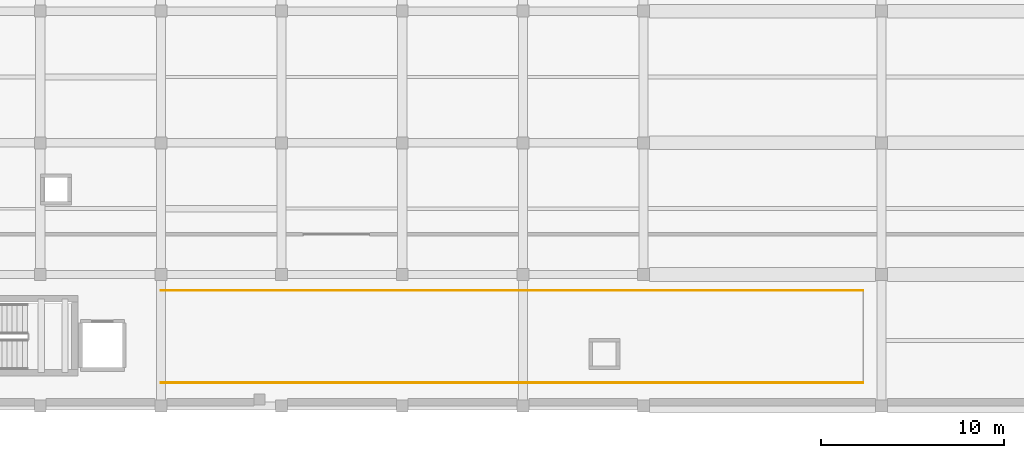
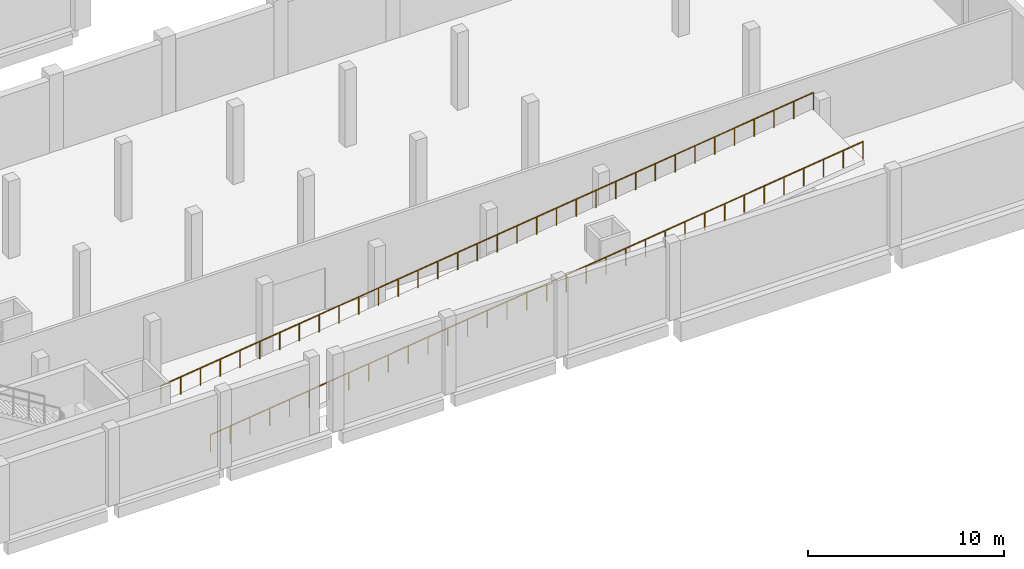
# One storey, part 30 of 31: 2 railings.
"""IFC4 building model written with IfcOpenShell, lengths in metres."""

from ifc_helpers import new_model, si_unit, direction, frame, origin, origin_2d, place, context, subcontext, project, spatial, circle, extrude, material, type_object, element, save


model = new_model("IFC4")

# Units and contexts
model_context = context("Model", 3, precision=1e-05, world=origin(), true_north=direction((0.0, 1.0)))
body_context = subcontext(model_context, "Body", "Model", "MODEL_VIEW")
ifc_project = project(units=[si_unit("LENGTHUNIT", "METRE"), si_unit("AREAUNIT", "SQUARE_METRE"), si_unit("VOLUMEUNIT", "CUBIC_METRE"), si_unit("PLANEANGLEUNIT", "RADIAN"), si_unit("MASSUNIT", "GRAM", prefix="KILO")], contexts=[model_context])

# Site, building, storey
site_placement = place(None, origin())
site = spatial("IfcSite", under=ifc_project, at=site_placement, CompositionType="ELEMENT")
building_placement = place(site_placement, origin())
building = spatial("IfcBuilding", under=site, at=building_placement, Name="Kelarvand Opera House", CompositionType="ELEMENT")
storey_placement = place(building_placement, frame((0.0, 0.0, -4.800048828125)))
storey = spatial("IfcBuildingStorey", under=building, at=storey_placement, Name="B1", CompositionType="ELEMENT", Elevation=-4.800048828125)

# Railings
ifc_material = material(Name="Powder-coated Steel S355", Category="steel")
railing_type = type_object("IfcRailingType", Name="Painted Steel Stair and Void Guardrail 1100", PredefinedType="GUARDRAIL", material=ifc_material)
railing_1_placement = place(storey_placement, frame((128.60009765625, 10.280029296875, 0.0)))
element("IfcRailing", 1, at=railing_1_placement, inside=storey, type_object=railing_type, Name="V6 B1 Guardrail 19", PredefinedType="GUARDRAIL", context=body_context, shape_type="SweptSolid", body=[
    extrude(circle(Radius=0.02392578125, at=origin_2d()), frame((0.0, 0.0, 1.076171875), z_axis=(0.992277682597, 0.0, 0.124036287512), x_axis=(0.0, 1.0, 0.0)), (0.0, 0.0, 1.0), 38.69873046875),
    extrude(circle(Radius=0.02099609375, at=origin_2d()), origin(), (0.0, 0.0, 1.0), 1.052001953125),
    extrude(circle(Radius=0.02099609375, at=origin_2d()), frame((1.16357421875, 0.0, 0.1455078125)), (0.0, 0.0, 1.0), 1.052001953125),
    extrude(circle(Radius=0.02099609375, at=origin_2d()), frame((2.3271484375, 0.0, 0.291015625)), (0.0, 0.0, 1.0), 1.052001953125),
    extrude(circle(Radius=0.02099609375, at=origin_2d()), frame((3.490966796875, 0.0, 0.436279296875)), (0.0, 0.0, 1.0), 1.052001953125),
    extrude(circle(Radius=0.02099609375, at=origin_2d()), frame((4.654541015625, 0.0, 0.581787109375)), (0.0, 0.0, 1.0), 1.052001953125),
    extrude(circle(Radius=0.02099609375, at=origin_2d()), frame((5.818115234375, 0.0, 0.727294921875)), (0.0, 0.0, 1.0), 1.052001953125),
    extrude(circle(Radius=0.02099609375, at=origin_2d()), frame((6.981689453125, 0.0, 0.872802734375)), (0.0, 0.0, 1.0), 1.052001953125),
    extrude(circle(Radius=0.02099609375, at=origin_2d()), frame((8.1455078125, 0.0, 1.018310546875)), (0.0, 0.0, 1.0), 1.052001953125),
    extrude(circle(Radius=0.02099609375, at=origin_2d()), frame((9.30908203125, 0.0, 1.16357421875)), (0.0, 0.0, 1.0), 1.052001953125),
    extrude(circle(Radius=0.02099609375, at=origin_2d()), frame((10.47265625, 0.0, 1.30908203125)), (0.0, 0.0, 1.0), 1.052001953125),
    extrude(circle(Radius=0.02099609375, at=origin_2d()), frame((11.63623046875, 0.0, 1.45458984375)), (0.0, 0.0, 1.0), 1.052001953125),
    extrude(circle(Radius=0.02099609375, at=origin_2d()), frame((12.800048828125, 0.0, 1.60009765625)), (0.0, 0.0, 1.0), 1.052001953125),
    extrude(circle(Radius=0.02099609375, at=origin_2d()), frame((13.963623046875, 0.0, 1.745361328125)), (0.0, 0.0, 1.0), 1.052001953125),
    extrude(circle(Radius=0.02099609375, at=origin_2d()), frame((15.127197265625, 0.0, 1.890869140625)), (0.0, 0.0, 1.0), 1.052001953125),
    extrude(circle(Radius=0.02099609375, at=origin_2d()), frame((16.290771484375, 0.0, 2.036376953125)), (0.0, 0.0, 1.0), 1.052001953125),
    extrude(circle(Radius=0.02099609375, at=origin_2d()), frame((17.45458984375, 0.0, 2.181884765625)), (0.0, 0.0, 1.0), 1.052001953125),
    extrude(circle(Radius=0.02099609375, at=origin_2d()), frame((18.6181640625, 0.0, 2.327392578125)), (0.0, 0.0, 1.0), 1.052001953125),
    extrude(circle(Radius=0.02099609375, at=origin_2d()), frame((19.78173828125, 0.0, 2.47265625)), (0.0, 0.0, 1.0), 1.052001953125),
    extrude(circle(Radius=0.02099609375, at=origin_2d()), frame((20.9453125, 0.0, 2.6181640625)), (0.0, 0.0, 1.0), 1.052001953125),
    extrude(circle(Radius=0.02099609375, at=origin_2d()), frame((22.109130859375, 0.0, 2.763671875)), (0.0, 0.0, 1.0), 1.052001953125),
    extrude(circle(Radius=0.02099609375, at=origin_2d()), frame((23.272705078125, 0.0, 2.9091796875)), (0.0, 0.0, 1.0), 1.052001953125),
    extrude(circle(Radius=0.02099609375, at=origin_2d()), frame((24.436279296875, 0.0, 3.0546875)), (0.0, 0.0, 1.0), 1.052001953125),
    extrude(circle(Radius=0.02099609375, at=origin_2d()), frame((25.599853515625, 0.0, 3.199951171875)), (0.0, 0.0, 1.0), 1.052001953125),
    extrude(circle(Radius=0.02099609375, at=origin_2d()), frame((26.763671875, 0.0, 3.345458984375)), (0.0, 0.0, 1.0), 1.052001953125),
    extrude(circle(Radius=0.02099609375, at=origin_2d()), frame((27.92724609375, 0.0, 3.490966796875)), (0.0, 0.0, 1.0), 1.052001953125),
    extrude(circle(Radius=0.02099609375, at=origin_2d()), frame((29.0908203125, 0.0, 3.636474609375)), (0.0, 0.0, 1.0), 1.052001953125),
    extrude(circle(Radius=0.02099609375, at=origin_2d()), frame((30.25439453125, 0.0, 3.78173828125)), (0.0, 0.0, 1.0), 1.052001953125),
    extrude(circle(Radius=0.02099609375, at=origin_2d()), frame((31.418212890625, 0.0, 3.92724609375)), (0.0, 0.0, 1.0), 1.052001953125),
    extrude(circle(Radius=0.02099609375, at=origin_2d()), frame((32.581787109375, 0.0, 4.07275390625)), (0.0, 0.0, 1.0), 1.052001953125),
    extrude(circle(Radius=0.02099609375, at=origin_2d()), frame((33.745361328125, 0.0, 4.21826171875)), (0.0, 0.0, 1.0), 1.052001953125),
    extrude(circle(Radius=0.02099609375, at=origin_2d()), frame((34.908935546875, 0.0, 4.36376953125)), (0.0, 0.0, 1.0), 1.052001953125),
    extrude(circle(Radius=0.02099609375, at=origin_2d()), frame((36.07275390625, 0.0, 4.509033203125)), (0.0, 0.0, 1.0), 1.052001953125),
    extrude(circle(Radius=0.02099609375, at=origin_2d()), frame((37.236328125, 0.0, 4.654541015625)), (0.0, 0.0, 1.0), 1.052001953125),
    extrude(circle(Radius=0.02099609375, at=origin_2d()), frame((38.39990234375, 0.0, 4.800048828125)), (0.0, 0.0, 1.0), 1.052001953125),
])
railing_2_placement = place(storey_placement, frame((128.60009765625, 15.320068359375, 0.0)))
element("IfcRailing", 2, at=railing_2_placement, inside=storey, type_object=railing_type, Name="V6 B1 Guardrail 20", PredefinedType="GUARDRAIL", context=body_context, shape_type="SweptSolid", body=[
    extrude(circle(Radius=0.02392578125, at=origin_2d()), frame((0.0, 0.0, 1.076171875), z_axis=(0.992277682597, 0.0, 0.124036287512), x_axis=(0.0, 1.0, 0.0)), (0.0, 0.0, 1.0), 38.69873046875),
    extrude(circle(Radius=0.02099609375, at=origin_2d()), origin(), (0.0, 0.0, 1.0), 1.052001953125),
    extrude(circle(Radius=0.02099609375, at=origin_2d()), frame((1.16357421875, 0.0, 0.1455078125)), (0.0, 0.0, 1.0), 1.052001953125),
    extrude(circle(Radius=0.02099609375, at=origin_2d()), frame((2.3271484375, 0.0, 0.291015625)), (0.0, 0.0, 1.0), 1.052001953125),
    extrude(circle(Radius=0.02099609375, at=origin_2d()), frame((3.490966796875, 0.0, 0.436279296875)), (0.0, 0.0, 1.0), 1.052001953125),
    extrude(circle(Radius=0.02099609375, at=origin_2d()), frame((4.654541015625, 0.0, 0.581787109375)), (0.0, 0.0, 1.0), 1.052001953125),
    extrude(circle(Radius=0.02099609375, at=origin_2d()), frame((5.818115234375, 0.0, 0.727294921875)), (0.0, 0.0, 1.0), 1.052001953125),
    extrude(circle(Radius=0.02099609375, at=origin_2d()), frame((6.981689453125, 0.0, 0.872802734375)), (0.0, 0.0, 1.0), 1.052001953125),
    extrude(circle(Radius=0.02099609375, at=origin_2d()), frame((8.1455078125, 0.0, 1.018310546875)), (0.0, 0.0, 1.0), 1.052001953125),
    extrude(circle(Radius=0.02099609375, at=origin_2d()), frame((9.30908203125, 0.0, 1.16357421875)), (0.0, 0.0, 1.0), 1.052001953125),
    extrude(circle(Radius=0.02099609375, at=origin_2d()), frame((10.47265625, 0.0, 1.30908203125)), (0.0, 0.0, 1.0), 1.052001953125),
    extrude(circle(Radius=0.02099609375, at=origin_2d()), frame((11.63623046875, 0.0, 1.45458984375)), (0.0, 0.0, 1.0), 1.052001953125),
    extrude(circle(Radius=0.02099609375, at=origin_2d()), frame((12.800048828125, 0.0, 1.60009765625)), (0.0, 0.0, 1.0), 1.052001953125),
    extrude(circle(Radius=0.02099609375, at=origin_2d()), frame((13.963623046875, 0.0, 1.745361328125)), (0.0, 0.0, 1.0), 1.052001953125),
    extrude(circle(Radius=0.02099609375, at=origin_2d()), frame((15.127197265625, 0.0, 1.890869140625)), (0.0, 0.0, 1.0), 1.052001953125),
    extrude(circle(Radius=0.02099609375, at=origin_2d()), frame((16.290771484375, 0.0, 2.036376953125)), (0.0, 0.0, 1.0), 1.052001953125),
    extrude(circle(Radius=0.02099609375, at=origin_2d()), frame((17.45458984375, 0.0, 2.181884765625)), (0.0, 0.0, 1.0), 1.052001953125),
    extrude(circle(Radius=0.02099609375, at=origin_2d()), frame((18.6181640625, 0.0, 2.327392578125)), (0.0, 0.0, 1.0), 1.052001953125),
    extrude(circle(Radius=0.02099609375, at=origin_2d()), frame((19.78173828125, 0.0, 2.47265625)), (0.0, 0.0, 1.0), 1.052001953125),
    extrude(circle(Radius=0.02099609375, at=origin_2d()), frame((20.9453125, 0.0, 2.6181640625)), (0.0, 0.0, 1.0), 1.052001953125),
    extrude(circle(Radius=0.02099609375, at=origin_2d()), frame((22.109130859375, 0.0, 2.763671875)), (0.0, 0.0, 1.0), 1.052001953125),
    extrude(circle(Radius=0.02099609375, at=origin_2d()), frame((23.272705078125, 0.0, 2.9091796875)), (0.0, 0.0, 1.0), 1.052001953125),
    extrude(circle(Radius=0.02099609375, at=origin_2d()), frame((24.436279296875, 0.0, 3.0546875)), (0.0, 0.0, 1.0), 1.052001953125),
    extrude(circle(Radius=0.02099609375, at=origin_2d()), frame((25.599853515625, 0.0, 3.199951171875)), (0.0, 0.0, 1.0), 1.052001953125),
    extrude(circle(Radius=0.02099609375, at=origin_2d()), frame((26.763671875, 0.0, 3.345458984375)), (0.0, 0.0, 1.0), 1.052001953125),
    extrude(circle(Radius=0.02099609375, at=origin_2d()), frame((27.92724609375, 0.0, 3.490966796875)), (0.0, 0.0, 1.0), 1.052001953125),
    extrude(circle(Radius=0.02099609375, at=origin_2d()), frame((29.0908203125, 0.0, 3.636474609375)), (0.0, 0.0, 1.0), 1.052001953125),
    extrude(circle(Radius=0.02099609375, at=origin_2d()), frame((30.25439453125, 0.0, 3.78173828125)), (0.0, 0.0, 1.0), 1.052001953125),
    extrude(circle(Radius=0.02099609375, at=origin_2d()), frame((31.418212890625, 0.0, 3.92724609375)), (0.0, 0.0, 1.0), 1.052001953125),
    extrude(circle(Radius=0.02099609375, at=origin_2d()), frame((32.581787109375, 0.0, 4.07275390625)), (0.0, 0.0, 1.0), 1.052001953125),
    extrude(circle(Radius=0.02099609375, at=origin_2d()), frame((33.745361328125, 0.0, 4.21826171875)), (0.0, 0.0, 1.0), 1.052001953125),
    extrude(circle(Radius=0.02099609375, at=origin_2d()), frame((34.908935546875, 0.0, 4.36376953125)), (0.0, 0.0, 1.0), 1.052001953125),
    extrude(circle(Radius=0.02099609375, at=origin_2d()), frame((36.07275390625, 0.0, 4.509033203125)), (0.0, 0.0, 1.0), 1.052001953125),
    extrude(circle(Radius=0.02099609375, at=origin_2d()), frame((37.236328125, 0.0, 4.654541015625)), (0.0, 0.0, 1.0), 1.052001953125),
    extrude(circle(Radius=0.02099609375, at=origin_2d()), frame((38.39990234375, 0.0, 4.800048828125)), (0.0, 0.0, 1.0), 1.052001953125),
])

save(model, "model.ifc")
